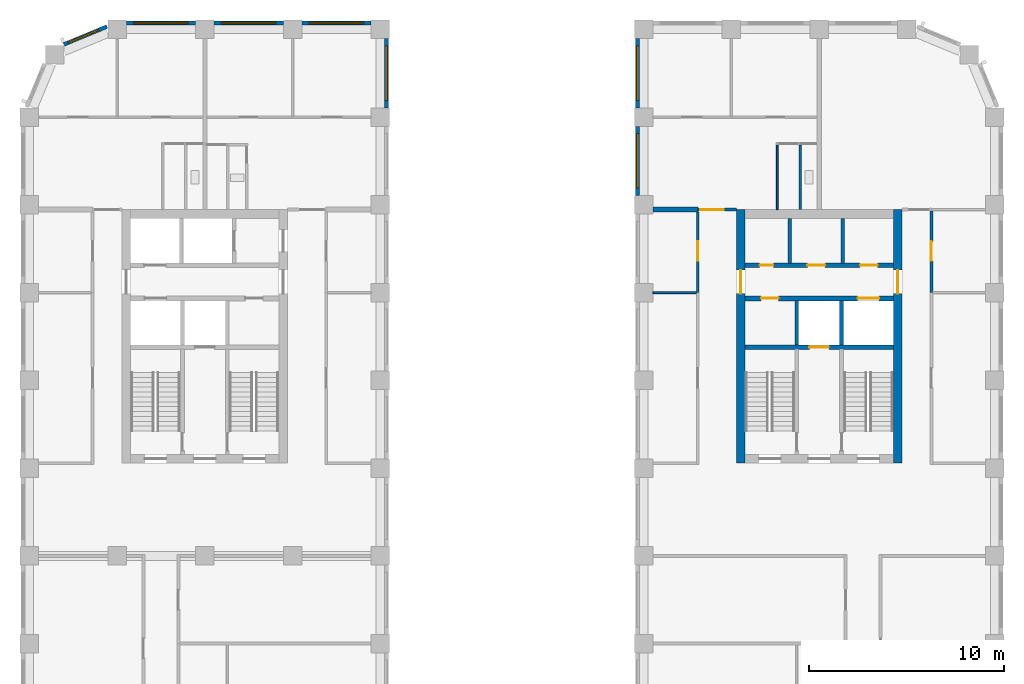
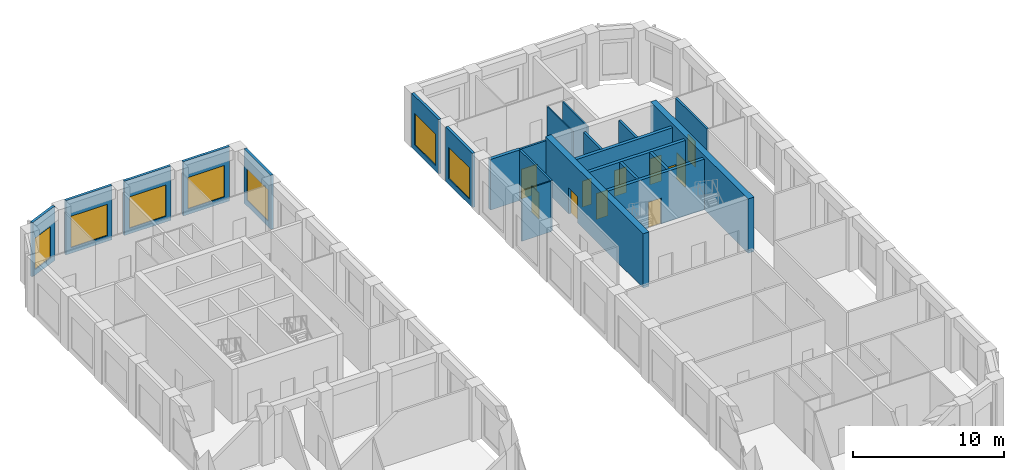
# One storey, part 8 of 13: 23 walls, 11 doors, 7 windows, 18 openings.
"""IFC4 building model written with IfcOpenShell, lengths in metres."""

from ifc_helpers import new_model, si_unit, direction, frame, frame_2d, origin, place, context, subcontext, project, spatial, rectangle, extrude, material, layer, layer_set, type_object, element, fill, save


model = new_model("IFC4")

# Units and contexts
model_context = context("Model", 3, precision=1e-05, world=origin(), true_north=direction((0.0, 1.0)))
body_context = subcontext(model_context, "Body", "Model", "MODEL_VIEW")
ifc_project = project(units=[si_unit("LENGTHUNIT", "METRE"), si_unit("AREAUNIT", "SQUARE_METRE"), si_unit("VOLUMEUNIT", "CUBIC_METRE"), si_unit("PLANEANGLEUNIT", "RADIAN"), si_unit("MASSUNIT", "GRAM", prefix="KILO")], contexts=[model_context])

# Site, building, storey
site_placement = place(None, origin())
site = spatial("IfcSite", under=ifc_project, at=site_placement, CompositionType="ELEMENT")
building_placement = place(site_placement, origin())
building = spatial("IfcBuilding", under=site, at=building_placement, Name="Girih Gate Residences", CompositionType="ELEMENT")
storey_placement = place(building_placement, frame((0.0, 0.0, 159.39990234375)))
storey = spatial("IfcBuildingStorey", under=building, at=storey_placement, Name="L44", CompositionType="ELEMENT", Elevation=159.39990234375)

# Wall
ifc_material_1 = material(Name="Gypsum board on steel studs", Category="steel")
ifc_layer_1 = layer(ifc_material_1, 0.25)
ifc_layer_set_1 = layer_set([ifc_layer_1], Name="Acoustic separating wall 250 mm")
wall_type_1 = type_object("IfcWallType", Name="Acoustic separating wall 250 mm", PredefinedType="PARTITIONING", material=ifc_layer_set_1)
wall_1_placement = place(storey_placement, frame((31.97509765625, 40.25, 0.0), z_axis=(0.0, 0.0, 1.0), x_axis=(1.0, 0.0, 0.0)))
element("IfcWall", 1, at=wall_1_placement, inside=storey, type_object=wall_type_1, Name="L44 partition", PredefinedType="PARTITIONING", context=body_context, shape_type="SweptSolid", body=[
    extrude(rectangle(XDim=2.2998046875, YDim=0.25, at=frame_2d((1.14990234375, 0.0))), origin(), (0.0, 0.0, 1.0), 4.10009765625),
])

# Wall, opening, door
ifc_layer_2 = layer(ifc_material_1, 0.14990234375)
ifc_layer_set_2 = layer_set([ifc_layer_2], Name="Compartment wall 150 mm")
wall_type_2 = type_object("IfcWallType", Name="Compartment wall 150 mm", PredefinedType="PARTITIONING", material=ifc_layer_set_2)
wall_2_placement = place(storey_placement, frame((34.27490234375, 40.25, 0.0), z_axis=(0.0, 0.0, 1.0), x_axis=(1.0, 0.0, 0.0)))
wall_2 = element("IfcWall", 2, at=wall_2_placement, inside=storey, type_object=wall_type_2, Name="L44 partition", PredefinedType="PARTITIONING", context=body_context, shape_type="SweptSolid", body=[
    extrude(rectangle(XDim=1.97509765625, YDim=0.14990234375, at=frame_2d((0.987548828125, 0.0))), origin(), (0.0, 0.0, 1.0), 4.10009765625),
])
opening_1_placement = place(wall_2_placement, frame((0.1298828125, 0.0, 0.0)))
opening_1 = element("IfcOpeningElement", 3, at=opening_1_placement, cuts=wall_2, Name="Opening A44-031", PredefinedType="OPENING", context=body_context, shape_type="SweptSolid", body=[
    extrude(rectangle(XDim=1.199951171875, YDim=2.39990234375, at=frame_2d((0.60009765625, 1.199951171875))), frame((0.0, 0.0849609375, 0.0), z_axis=(0.0, -1.0, 0.0), x_axis=(1.0, 0.0, 0.0)), (0.0, 0.0, 1.0), 0.169921875),
])
ifc_material_2 = material(Name="Timber, fire-rated core", Category="wood")
door_type_1 = type_object("IfcDoorType", Name="Villa entrance door 1200x2400 FD30S", OperationType="NOTDEFINED", PredefinedType="DOOR", material=ifc_material_2)
door_1_placement = place(opening_1_placement, origin())
door_1 = element("IfcDoor", 4, at=door_1_placement, inside=storey, type_object=door_type_1, Name="Door A44-031", OperationType="SINGLE_SWING_LEFT", OverallHeight=2.39990234375, OverallWidth=1.199951171875, PredefinedType="DOOR", context=body_context, shape_type="SweptSolid", body=[
    extrude(rectangle(XDim=1.199951171875, YDim=2.39990234375, at=frame_2d((0.60009765625, 1.199951171875))), frame((0.0, 0.02490234375, 0.0), z_axis=(0.0, -1.0, 0.0), x_axis=(1.0, 0.0, 0.0)), (0.0, 0.0, 1.0), 0.050048828125),
])
fill(opening_1, door_1)

wall_3_placement = place(storey_placement, frame((34.27490234375, 36.0, 0.0), z_axis=(0.0, 0.0, 1.0), x_axis=(0.0, 1.0, 0.0)))
wall_3 = element("IfcWall", 5, at=wall_3_placement, inside=storey, type_object=wall_type_2, Name="L44 partition", PredefinedType="PARTITIONING", context=body_context, shape_type="SweptSolid", body=[
    extrude(rectangle(XDim=4.125, YDim=0.14990234375, at=frame_2d((2.0625, 0.0))), origin(), (0.0, 0.0, 1.0), 4.10009765625),
])
opening_2_placement = place(wall_3_placement, frame((1.625, 0.0, 0.0)))
opening_2 = element("IfcOpeningElement", 6, at=opening_2_placement, cuts=wall_3, Name="Opening A44-040", PredefinedType="OPENING", context=body_context, shape_type="SweptSolid", body=[
    extrude(rectangle(XDim=1.0, YDim=2.10009765625, at=frame_2d((0.5, 1.050048828125))), frame((0.0, 0.0849609375, 0.0), z_axis=(0.0, -1.0, 0.0), x_axis=(1.0, 0.0, 0.0)), (0.0, 0.0, 1.0), 0.169921875),
])
door_type_2 = type_object("IfcDoorType", Name="Amenity room door 1000x2100 FD30S", OperationType="NOTDEFINED", PredefinedType="DOOR", material=ifc_material_2)
door_2_placement = place(opening_2_placement, origin())
door_2 = element("IfcDoor", 7, at=door_2_placement, inside=storey, type_object=door_type_2, Name="Door A44-040", OperationType="SINGLE_SWING_RIGHT", OverallHeight=2.10009765625, OverallWidth=1.0, PredefinedType="DOOR", context=body_context, shape_type="SweptSolid", body=[
    extrude(rectangle(XDim=1.0, YDim=2.10009765625, at=frame_2d((0.5, 1.050048828125))), frame((0.0, 0.02490234375, 0.0), z_axis=(0.0, -1.0, 0.0), x_axis=(1.0, 0.0, 0.0)), (0.0, 0.0, 1.0), 0.050048828125),
])
fill(opening_2, door_2)

wall_4_placement = place(storey_placement, frame((46.25, 40.175048828125, 0.0), z_axis=(0.0, 0.0, 1.0), x_axis=(0.0, -1.0, 0.0)))
wall_4 = element("IfcWall", 8, at=wall_4_placement, inside=storey, type_object=wall_type_2, Name="L44 partition", PredefinedType="PARTITIONING", context=body_context, shape_type="SweptSolid", body=[
    extrude(rectangle(XDim=4.175048828125, YDim=0.14990234375, at=frame_2d((2.08740234375, 0.0))), origin(), (0.0, 0.0, 1.0), 4.10009765625),
])
opening_3_placement = place(wall_4_placement, frame((1.550048828125, 0.0, 0.0)))
opening_3 = element("IfcOpeningElement", 9, at=opening_3_placement, cuts=wall_4, Name="Opening A44-042", PredefinedType="OPENING", context=body_context, shape_type="SweptSolid", body=[
    extrude(rectangle(XDim=1.0, YDim=2.10009765625, at=frame_2d((0.5, 1.050048828125))), frame((0.0, 0.0849609375, 0.0), z_axis=(0.0, -1.0, 0.0), x_axis=(1.0, 0.0, 0.0)), (0.0, 0.0, 1.0), 0.169921875),
])
door_3_placement = place(opening_3_placement, origin())
door_3 = element("IfcDoor", 10, at=door_3_placement, inside=storey, type_object=door_type_2, Name="Door A44-042", OperationType="SINGLE_SWING_LEFT", OverallHeight=2.10009765625, OverallWidth=1.0, PredefinedType="DOOR", context=body_context, shape_type="SweptSolid", body=[
    extrude(rectangle(XDim=1.0, YDim=2.10009765625, at=frame_2d((0.5, 1.050048828125))), frame((0.0, 0.02490234375, 0.0), z_axis=(0.0, -1.0, 0.0), x_axis=(1.0, 0.0, 0.0)), (0.0, 0.0, 1.0), 0.050048828125),
])
fill(opening_3, door_3)

ifc_material_3 = material(Name="Concrete C60/75", Category="concrete")
ifc_layer_3 = layer(ifc_material_3, 0.449951171875)
ifc_layer_set_3 = layer_set([ifc_layer_3], Name="Core wall RC 450 Concrete C60/75")
wall_type_3 = type_object("IfcWallType", Name="Core wall RC 450 Concrete C60/75", PredefinedType="SOLIDWALL", material=ifc_layer_set_3)
wall_5_placement = place(storey_placement, frame((36.47509765625, 27.25, 0.0), z_axis=(0.0, 0.0, 1.0), x_axis=(0.0, 1.0, 0.0)))
wall_5 = element("IfcWall", 11, at=wall_5_placement, inside=storey, type_object=wall_type_3, Name="Core wall E-W L44", PredefinedType="SOLIDWALL", context=body_context, shape_type="SweptSolid", body=[
    extrude(rectangle(XDim=13.0, YDim=0.449951171875, at=frame_2d((6.5, 0.0))), origin(), (0.0, 0.0, 1.0), 4.400146484375),
])
opening_4_placement = place(wall_5_placement, frame((8.699951171875, 0.0, 0.0)))
opening_4 = element("IfcOpeningElement", 12, at=opening_4_placement, cuts=wall_5, Name="Opening D-L44-E-012", PredefinedType="OPENING", context=body_context, shape_type="SweptSolid", body=[
    extrude(rectangle(XDim=1.199951171875, YDim=2.10009765625, at=frame_2d((0.60009765625, 1.050048828125))), frame((0.0, 0.23486328125, 0.0), z_axis=(0.0, -1.0, 0.0), x_axis=(1.0, 0.0, 0.0)), (0.0, 0.0, 1.0), 0.469970703125),
])
ifc_material_4 = material(Name="Painted steel, fire-resisting", Category="steel")
door_type_3 = type_object("IfcDoorType", Name="Fire door 1200x2100", OperationType="SINGLE_SWING_LEFT", PredefinedType="DOOR", material=ifc_material_4)
door_4_placement = place(opening_4_placement, origin())
door_4 = element("IfcDoor", 13, at=door_4_placement, inside=storey, type_object=door_type_3, Name="L44 E core door ll-w", OperationType="SINGLE_SWING_LEFT", OverallHeight=2.10009765625, OverallWidth=1.199951171875, PredefinedType="DOOR", context=body_context, shape_type="SweptSolid", body=[
    extrude(rectangle(XDim=1.199951171875, YDim=2.10009765625, at=frame_2d((0.60009765625, 1.050048828125))), frame((0.0, 0.02490234375, 0.0), z_axis=(0.0, -1.0, 0.0), x_axis=(1.0, 0.0, 0.0)), (0.0, 0.0, 1.0), 0.050048828125),
])
fill(opening_4, door_4)

wall_6_placement = place(storey_placement, frame((44.52490234375, 27.25, 0.0), z_axis=(0.0, 0.0, 1.0), x_axis=(0.0, 1.0, 0.0)))
wall_6 = element("IfcWall", 14, at=wall_6_placement, inside=storey, type_object=wall_type_3, Name="Core wall E-E L44", PredefinedType="SOLIDWALL", context=body_context, shape_type="SweptSolid", body=[
    extrude(rectangle(XDim=13.0, YDim=0.449951171875, at=frame_2d((6.5, 0.0))), origin(), (0.0, 0.0, 1.0), 4.400146484375),
])
opening_5_placement = place(wall_6_placement, frame((8.699951171875, 0.0, 0.0)))
opening_5 = element("IfcOpeningElement", 15, at=opening_5_placement, cuts=wall_6, Name="Opening D-L44-E-013", PredefinedType="OPENING", context=body_context, shape_type="SweptSolid", body=[
    extrude(rectangle(XDim=1.199951171875, YDim=2.10009765625, at=frame_2d((0.60009765625, 1.050048828125))), frame((0.0, 0.23486328125, 0.0), z_axis=(0.0, -1.0, 0.0), x_axis=(1.0, 0.0, 0.0)), (0.0, 0.0, 1.0), 0.469970703125),
])
door_5_placement = place(opening_5_placement, origin())
door_5 = element("IfcDoor", 16, at=door_5_placement, inside=storey, type_object=door_type_3, Name="L44 E core door ll-e", OperationType="SINGLE_SWING_LEFT", OverallHeight=2.10009765625, OverallWidth=1.199951171875, PredefinedType="DOOR", context=body_context, shape_type="SweptSolid", body=[
    extrude(rectangle(XDim=1.199951171875, YDim=2.10009765625, at=frame_2d((0.60009765625, 1.050048828125))), frame((0.0, 0.02490234375, 0.0), z_axis=(0.0, -1.0, 0.0), x_axis=(1.0, 0.0, 0.0)), (0.0, 0.0, 1.0), 0.050048828125),
])
fill(opening_5, door_5)

ifc_material_5 = material(Name="Concrete C40/50", Category="concrete")
ifc_layer_4 = layer(ifc_material_5, 0.25)
ifc_layer_set_4 = layer_set([ifc_layer_4], Name="Lift shaft wall 250")
wall_type_4 = type_object("IfcWallType", Name="Lift shaft wall 250", PredefinedType="SOLIDWALL", material=ifc_layer_set_4)
wall_7_placement = place(storey_placement, frame((36.699951171875, 33.199951171875, 0.0), z_axis=(0.0, 0.0, 1.0), x_axis=(1.0, 0.0, 0.0)))
wall_7 = element("IfcWall", 17, at=wall_7_placement, inside=storey, type_object=wall_type_4, Name="L44 E core wall H1", PredefinedType="SOLIDWALL", context=body_context, shape_type="SweptSolid", body=[
    extrude(rectangle(XDim=7.60009765625, YDim=0.25, at=frame_2d((3.800048828125, 0.0))), origin(), (0.0, 0.0, 1.0), 4.10009765625),
])
opening_6_placement = place(wall_7_placement, frame((3.300048828125, 0.0, 0.0)))
opening_6 = element("IfcOpeningElement", 18, at=opening_6_placement, cuts=wall_7, Name="Opening D-L44-E-004", PredefinedType="OPENING", context=body_context, shape_type="SweptSolid", body=[
    extrude(rectangle(XDim=1.0, YDim=2.10009765625, at=frame_2d((0.5, 1.050048828125))), frame((0.0, 0.135009765625, 0.0), z_axis=(0.0, -1.0, 0.0), x_axis=(1.0, 0.0, 0.0)), (0.0, 0.0, 1.0), 0.27001953125),
])
ifc_material_6 = material(Name="Stainless steel, fire-resisting", Category="steel")
door_type_4 = type_object("IfcDoorType", Name="Firefighting lift landing door 1000x2100", OperationType="SLIDING_TO_LEFT", PredefinedType="DOOR", material=ifc_material_6)
door_6_placement = place(opening_6_placement, origin())
door_6 = element("IfcDoor", 19, at=door_6_placement, inside=storey, type_object=door_type_4, Name="L44 lift FF-E landing door", OperationType="SLIDING_TO_LEFT", OverallHeight=2.10009765625, OverallWidth=1.0, PredefinedType="DOOR", context=body_context, shape_type="SweptSolid", body=[
    extrude(rectangle(XDim=1.0, YDim=2.10009765625, at=frame_2d((0.5, 1.050048828125))), frame((0.0, 0.02490234375, 0.0), z_axis=(0.0, -1.0, 0.0), x_axis=(1.0, 0.0, 0.0)), (0.0, 0.0, 1.0), 0.050048828125),
])
fill(opening_6, door_6)

# Wall, openings, doors
wall_8_placement = place(storey_placement, frame((36.699951171875, 35.699951171875, 0.0), z_axis=(0.0, 0.0, 1.0), x_axis=(1.0, 0.0, 0.0)))
wall_8 = element("IfcWall", 20, at=wall_8_placement, inside=storey, type_object=wall_type_4, Name="L44 E core wall H2", PredefinedType="SOLIDWALL", context=body_context, shape_type="SweptSolid", body=[
    extrude(rectangle(XDim=7.60009765625, YDim=0.25, at=frame_2d((3.800048828125, 0.0))), origin(), (0.0, 0.0, 1.0), 4.10009765625),
])
opening_7_placement = place(wall_8_placement, frame((5.77490234375, 0.0, 0.0)))
opening_7 = element("IfcOpeningElement", 21, at=opening_7_placement, cuts=wall_8, Name="Opening D-L44-E-003", PredefinedType="OPENING", context=body_context, shape_type="SweptSolid", body=[
    extrude(rectangle(XDim=1.10009765625, YDim=2.39990234375, at=frame_2d((0.550048828125, 1.199951171875))), frame((0.0, 0.135009765625, 0.0), z_axis=(0.0, -1.0, 0.0), x_axis=(1.0, 0.0, 0.0)), (0.0, 0.0, 1.0), 0.27001953125),
])
opening_8_placement = place(wall_8_placement, frame((0.824951171875, 0.0, 0.0)))
opening_8 = element("IfcOpeningElement", 22, at=opening_8_placement, cuts=wall_8, Name="Opening D-L44-E-006", PredefinedType="OPENING", context=body_context, shape_type="SweptSolid", body=[
    extrude(rectangle(XDim=0.89990234375, YDim=2.10009765625, at=frame_2d((0.449951171875, 1.050048828125))), frame((0.0, 0.135009765625, 0.0), z_axis=(0.0, -1.0, 0.0), x_axis=(1.0, 0.0, 0.0)), (0.0, 0.0, 1.0), 0.27001953125),
])
door_type_5 = type_object("IfcDoorType", Name="Fire door 900x2100", OperationType="SINGLE_SWING_LEFT", PredefinedType="DOOR", material=ifc_material_4)
door_7_placement = place(opening_8_placement, origin())
door_7 = element("IfcDoor", 23, at=door_7_placement, inside=storey, type_object=door_type_5, Name="L44 E pantry door", OperationType="SINGLE_SWING_LEFT", OverallHeight=2.10009765625, OverallWidth=0.89990234375, PredefinedType="DOOR", context=body_context, shape_type="SweptSolid", body=[
    extrude(rectangle(XDim=0.89990234375, YDim=2.10009765625, at=frame_2d((0.449951171875, 1.050048828125))), frame((0.0, 0.02490234375, 0.0), z_axis=(0.0, -1.0, 0.0), x_axis=(1.0, 0.0, 0.0)), (0.0, 0.0, 1.0), 0.050048828125),
])
fill(opening_8, door_7)
ifc_material_7 = material(Name="Stainless steel", Category="steel")
door_type_6 = type_object("IfcDoorType", Name="Lift landing door 1100x2400", OperationType="SLIDING_TO_LEFT", PredefinedType="DOOR", material=ifc_material_7)
door_8_placement = place(opening_7_placement, origin())
door_8 = element("IfcDoor", 24, at=door_8_placement, inside=storey, type_object=door_type_6, Name="L44 lift HR-E1 landing door", OperationType="SLIDING_TO_LEFT", OverallHeight=2.39990234375, OverallWidth=1.10009765625, PredefinedType="DOOR", context=body_context, shape_type="SweptSolid", body=[
    extrude(rectangle(XDim=1.10009765625, YDim=2.39990234375, at=frame_2d((0.550048828125, 1.199951171875))), frame((0.0, 0.02490234375, 0.0), z_axis=(0.0, -1.0, 0.0), x_axis=(1.0, 0.0, 0.0)), (0.0, 0.0, 1.0), 0.050048828125),
])
fill(opening_7, door_8)

wall_9_placement = place(storey_placement, frame((36.699951171875, 37.39990234375, 0.0), z_axis=(0.0, 0.0, 1.0), x_axis=(1.0, 0.0, 0.0)))
wall_9 = element("IfcWall", 25, at=wall_9_placement, inside=storey, type_object=wall_type_4, Name="L44 E core wall H3", PredefinedType="SOLIDWALL", context=body_context, shape_type="SweptSolid", body=[
    extrude(rectangle(XDim=7.60009765625, YDim=0.25, at=frame_2d((3.800048828125, 0.0))), origin(), (0.0, 0.0, 1.0), 4.10009765625),
])
opening_9_placement = place(wall_9_placement, frame((0.75, 0.0, 0.0)))
opening_9 = element("IfcOpeningElement", 26, at=opening_9_placement, cuts=wall_9, Name="Opening D-L44-E-005", PredefinedType="OPENING", context=body_context, shape_type="SweptSolid", body=[
    extrude(rectangle(XDim=0.699951171875, YDim=2.10009765625, at=frame_2d((0.35009765625, 1.050048828125))), frame((0.0, 0.135009765625, 0.0), z_axis=(0.0, -1.0, 0.0), x_axis=(1.0, 0.0, 0.0)), (0.0, 0.0, 1.0), 0.27001953125),
])
opening_10_placement = place(wall_9_placement, frame((5.89990234375, 0.0, 0.0)))
opening_10 = element("IfcOpeningElement", 27, at=opening_10_placement, cuts=wall_9, Name="Opening D-L44-E-007", PredefinedType="OPENING", context=body_context, shape_type="SweptSolid", body=[
    extrude(rectangle(XDim=0.89990234375, YDim=2.10009765625, at=frame_2d((0.449951171875, 1.050048828125))), frame((0.0, 0.135009765625, 0.0), z_axis=(0.0, -1.0, 0.0), x_axis=(1.0, 0.0, 0.0)), (0.0, 0.0, 1.0), 0.27001953125),
])
opening_11_placement = place(wall_9_placement, frame((3.199951171875, 0.0, 0.0)))
opening_11 = element("IfcOpeningElement", 28, at=opening_11_placement, cuts=wall_9, Name="Opening D-L44-E-008", PredefinedType="OPENING", context=body_context, shape_type="SweptSolid", body=[
    extrude(rectangle(XDim=0.89990234375, YDim=2.10009765625, at=frame_2d((0.449951171875, 1.050048828125))), frame((0.0, 0.135009765625, 0.0), z_axis=(0.0, -1.0, 0.0), x_axis=(1.0, 0.0, 0.0)), (0.0, 0.0, 1.0), 0.27001953125),
])
door_9_placement = place(opening_10_placement, origin())
door_9 = element("IfcDoor", 29, at=door_9_placement, inside=storey, type_object=door_type_5, Name="L44 E comms room door", OperationType="SINGLE_SWING_LEFT", OverallHeight=2.10009765625, OverallWidth=0.89990234375, PredefinedType="DOOR", context=body_context, shape_type="SweptSolid", body=[
    extrude(rectangle(XDim=0.89990234375, YDim=2.10009765625, at=frame_2d((0.449951171875, 1.050048828125))), frame((0.0, 0.02490234375, 0.0), z_axis=(0.0, -1.0, 0.0), x_axis=(1.0, 0.0, 0.0)), (0.0, 0.0, 1.0), 0.050048828125),
])
fill(opening_10, door_9)
door_10_placement = place(opening_11_placement, origin())
door_10 = element("IfcDoor", 30, at=door_10_placement, inside=storey, type_object=door_type_5, Name="L44 E cleaners store door", OperationType="SINGLE_SWING_LEFT", OverallHeight=2.10009765625, OverallWidth=0.89990234375, PredefinedType="DOOR", context=body_context, shape_type="SweptSolid", body=[
    extrude(rectangle(XDim=0.89990234375, YDim=2.10009765625, at=frame_2d((0.449951171875, 1.050048828125))), frame((0.0, 0.02490234375, 0.0), z_axis=(0.0, -1.0, 0.0), x_axis=(1.0, 0.0, 0.0)), (0.0, 0.0, 1.0), 0.050048828125),
])
fill(opening_11, door_10)
door_type_7 = type_object("IfcDoorType", Name="Riser access door 700x2100", OperationType="SINGLE_SWING_LEFT", PredefinedType="DOOR", material=ifc_material_4)
door_11_placement = place(opening_9_placement, origin())
door_11 = element("IfcDoor", 31, at=door_11_placement, inside=storey, type_object=door_type_7, Name="L44 E riser room door", OperationType="SINGLE_SWING_LEFT", OverallHeight=2.10009765625, OverallWidth=0.699951171875, PredefinedType="DOOR", context=body_context, shape_type="SweptSolid", body=[
    extrude(rectangle(XDim=0.699951171875, YDim=2.10009765625, at=frame_2d((0.35009765625, 1.050048828125))), frame((0.0, 0.02490234375, 0.0), z_axis=(0.0, -1.0, 0.0), x_axis=(1.0, 0.0, 0.0)), (0.0, 0.0, 1.0), 0.050048828125),
])
fill(opening_9, door_11)

# Walls
ifc_layer_5 = layer(ifc_material_1, 0.10009765625)
ifc_layer_set_5 = layer_set([ifc_layer_5], Name="Partition 100 mm")
wall_type_5 = type_object("IfcWallType", Name="Partition 100 mm", PredefinedType="PARTITIONING", material=ifc_layer_set_5)
wall_10_placement = place(storey_placement, frame((38.35009765625, 40.25, 0.0), z_axis=(0.0, 0.0, 1.0), x_axis=(0.0, 1.0, 0.0)))
element("IfcWall", 32, at=wall_10_placement, inside=storey, type_object=wall_type_5, Name="L44 partition", PredefinedType="PARTITIONING", context=body_context, shape_type="SweptSolid", body=[
    extrude(rectangle(XDim=3.320068359375, YDim=0.10009765625, at=frame_2d((1.66015625, 0.0))), origin(), (0.0, 0.0, 1.0), 4.10009765625),
])
wall_11_placement = place(storey_placement, frame((31.97509765625, 36.0, 0.0), z_axis=(0.0, 0.0, 1.0), x_axis=(1.0, 0.0, 0.0)))
element("IfcWall", 33, at=wall_11_placement, inside=storey, type_object=wall_type_5, Name="L44 partition", PredefinedType="PARTITIONING", context=body_context, shape_type="SweptSolid", body=[
    extrude(rectangle(XDim=2.224853515625, YDim=0.10009765625, at=frame_2d((1.1123046875, 0.0))), origin(), (0.0, 0.0, 1.0), 4.10009765625),
])

# Wall, opening, window
ifc_material_8 = material(Name="Precast concrete C50/60", Category="concrete")
ifc_layer_6 = layer(ifc_material_8, 0.06005859375, Name="Outer leaf")
ifc_material_9 = material(Name="Rigid PIR insulation")
ifc_layer_7 = layer(ifc_material_9, 0.090087890625, Name="Insulation")
ifc_material_10 = material(Name="Precast concrete C40/50", Category="concrete")
ifc_layer_8 = layer(ifc_material_10, 0.050048828125, Name="Inner leaf")
ifc_layer_set_6 = layer_set([ifc_layer_6, ifc_layer_7, ifc_layer_8], Name="Precast concrete C50/60 external wall 200")
wall_type_6 = type_object("IfcWallType", Name="Precast concrete C50/60 external wall 200", PredefinedType="SOLIDWALL", material=ifc_layer_set_6)
wall_12_placement = place(storey_placement, frame((13.97509765625, 49.824951171875, 0.0), z_axis=(0.0, 0.0, 1.0), x_axis=(1.0, 0.0, 0.0)))
wall_12 = element("IfcWall", 34, at=wall_12_placement, inside=storey, type_object=wall_type_6, Name="External wall N0180_0495.0", PredefinedType="SOLIDWALL", context=body_context, shape_type="SweptSolid", body=[
    extrude(rectangle(XDim=3.5498046875, YDim=0.199951171875, at=frame_2d((1.77490234375, 0.0))), origin(), (0.0, 0.0, 1.0), 4.400146484375),
])
opening_12_placement = place(wall_12_placement, frame((0.375, 0.0, 0.449951171875)))
opening_12 = element("IfcOpeningElement", 35, at=opening_12_placement, cuts=wall_12, Name="Opening W-6A", PredefinedType="OPENING", context=body_context, shape_type="SweptSolid", body=[
    extrude(rectangle(XDim=2.800048828125, YDim=2.550048828125, at=frame_2d((1.39990234375, 1.27490234375))), frame((0.0, 0.10986328125, 0.0), z_axis=(0.0, -1.0, 0.0), x_axis=(1.0, 0.0, 0.0)), (0.0, 0.0, 1.0), 0.219970703125),
])
ifc_material_11 = material(Name="Double glazing in aluminium frame", Category="aluminium")
window_type_1 = type_object("IfcWindowType", Name="Window W-6A 2800x2550", PartitioningType="SINGLE_PANEL", PredefinedType="WINDOW", material=ifc_material_11)
window_1_placement = place(opening_12_placement, origin())
window_1 = element("IfcWindow", 36, at=window_1_placement, inside=storey, type_object=window_type_1, Name="Window W-6A N0180_0495.0", OverallHeight=2.550048828125, OverallWidth=2.800048828125, PartitioningType="SINGLE_PANEL", PredefinedType="WINDOW", context=body_context, shape_type="SweptSolid", body=[
    extrude(rectangle(XDim=2.800048828125, YDim=2.550048828125, at=frame_2d((1.39990234375, 1.27490234375))), frame((0.0, 0.030029296875, 0.0), z_axis=(0.0, -1.0, 0.0), x_axis=(1.0, 0.0, 0.0)), (0.0, 0.0, 1.0), 0.06005859375),
])
fill(opening_12, window_1)

wall_13_placement = place(storey_placement, frame((9.47509765625, 49.824951171875, 0.0), z_axis=(0.0, 0.0, 1.0), x_axis=(1.0, 0.0, 0.0)))
wall_13 = element("IfcWall", 37, at=wall_13_placement, inside=storey, type_object=wall_type_6, Name="External wall N0180_0495.1", PredefinedType="SOLIDWALL", context=body_context, shape_type="SweptSolid", body=[
    extrude(rectangle(XDim=3.5498046875, YDim=0.199951171875, at=frame_2d((1.77490234375, 0.0))), origin(), (0.0, 0.0, 1.0), 4.400146484375),
])
opening_13_placement = place(wall_13_placement, frame((0.375, 0.0, 0.449951171875)))
opening_13 = element("IfcOpeningElement", 38, at=opening_13_placement, cuts=wall_13, Name="Opening W-6A", PredefinedType="OPENING", context=body_context, shape_type="SweptSolid", body=[
    extrude(rectangle(XDim=2.800048828125, YDim=2.550048828125, at=frame_2d((1.39990234375, 1.27490234375))), frame((0.0, 0.10986328125, 0.0), z_axis=(0.0, -1.0, 0.0), x_axis=(1.0, 0.0, 0.0)), (0.0, 0.0, 1.0), 0.219970703125),
])
window_2_placement = place(opening_13_placement, origin())
window_2 = element("IfcWindow", 39, at=window_2_placement, inside=storey, type_object=window_type_1, Name="Window W-6A N0180_0495.1", OverallHeight=2.550048828125, OverallWidth=2.800048828125, PartitioningType="SINGLE_PANEL", PredefinedType="WINDOW", context=body_context, shape_type="SweptSolid", body=[
    extrude(rectangle(XDim=2.800048828125, YDim=2.550048828125, at=frame_2d((1.39990234375, 1.27490234375))), frame((0.0, 0.030029296875, 0.0), z_axis=(0.0, -1.0, 0.0), x_axis=(1.0, 0.0, 0.0)), (0.0, 0.0, 1.0), 0.06005859375),
])
fill(opening_13, window_2)

wall_14_placement = place(storey_placement, frame((4.97509765625, 49.824951171875, 0.0), z_axis=(0.0, 0.0, 1.0), x_axis=(1.0, 0.0, 0.0)))
wall_14 = element("IfcWall", 40, at=wall_14_placement, inside=storey, type_object=wall_type_6, Name="External wall N0180_0495.2", PredefinedType="SOLIDWALL", context=body_context, shape_type="SweptSolid", body=[
    extrude(rectangle(XDim=3.5498046875, YDim=0.199951171875, at=frame_2d((1.77490234375, 0.0))), origin(), (0.0, 0.0, 1.0), 4.400146484375),
])
opening_14_placement = place(wall_14_placement, frame((0.375, 0.0, 0.449951171875)))
opening_14 = element("IfcOpeningElement", 41, at=opening_14_placement, cuts=wall_14, Name="Opening W-6A", PredefinedType="OPENING", context=body_context, shape_type="SweptSolid", body=[
    extrude(rectangle(XDim=2.800048828125, YDim=2.550048828125, at=frame_2d((1.39990234375, 1.27490234375))), frame((0.0, 0.10986328125, 0.0), z_axis=(0.0, -1.0, 0.0), x_axis=(1.0, 0.0, 0.0)), (0.0, 0.0, 1.0), 0.219970703125),
])
window_3_placement = place(opening_14_placement, origin())
window_3 = element("IfcWindow", 42, at=window_3_placement, inside=storey, type_object=window_type_1, Name="Window W-6A N0180_0495.2", OverallHeight=2.550048828125, OverallWidth=2.800048828125, PartitioningType="SINGLE_PANEL", PredefinedType="WINDOW", context=body_context, shape_type="SweptSolid", body=[
    extrude(rectangle(XDim=2.800048828125, YDim=2.550048828125, at=frame_2d((1.39990234375, 1.27490234375))), frame((0.0, 0.030029296875, 0.0), z_axis=(0.0, -1.0, 0.0), x_axis=(1.0, 0.0, 0.0)), (0.0, 0.0, 1.0), 0.06005859375),
])
fill(opening_14, window_3)

wall_15_placement = place(storey_placement, frame((1.76708984375, 48.7197265625, 0.0), z_axis=(0.0, 0.0, 1.0), x_axis=(0.923880599843, 0.382680855588, 0.0)))
wall_15 = element("IfcWall", 43, at=wall_15_placement, inside=storey, type_object=wall_type_6, Name="External wall NW0045_0495.0", PredefinedType="SOLIDWALL", context=body_context, shape_type="SweptSolid", body=[
    extrude(rectangle(XDim=2.402587890625, YDim=0.199951171875, at=frame_2d((1.201171875, 0.0))), origin(), (0.0, 0.0, 1.0), 4.400146484375),
])
opening_15_placement = place(wall_15_placement, frame((0.25146484375, 0.0, 0.449951171875)))
opening_15 = element("IfcOpeningElement", 44, at=opening_15_placement, cuts=wall_15, Name="Opening W-2F", PredefinedType="OPENING", context=body_context, shape_type="SweptSolid", body=[
    extrude(rectangle(XDim=1.699951171875, YDim=2.550048828125, at=frame_2d((0.85009765625, 1.27490234375))), frame((0.0, 0.10986328125, 0.0), z_axis=(0.0, -1.0, 0.0), x_axis=(1.0, 0.0, 0.0)), (0.0, 0.0, 1.0), 0.219970703125),
])
window_type_2 = type_object("IfcWindowType", Name="Window W-2F 1700x2550", PartitioningType="SINGLE_PANEL", PredefinedType="WINDOW", material=ifc_material_11)
window_4_placement = place(opening_15_placement, origin())
window_4 = element("IfcWindow", 45, at=window_4_placement, inside=storey, type_object=window_type_2, Name="Window W-2F NW0045_0495.0", OverallHeight=2.550048828125, OverallWidth=1.699951171875, PartitioningType="SINGLE_PANEL", PredefinedType="WINDOW", context=body_context, shape_type="SweptSolid", body=[
    extrude(rectangle(XDim=1.699951171875, YDim=2.550048828125, at=frame_2d((0.85009765625, 1.27490234375))), frame((0.0, 0.030029296875, 0.0), z_axis=(0.0, -1.0, 0.0), x_axis=(1.0, 0.0, 0.0)), (0.0, 0.0, 1.0), 0.06005859375),
])
fill(opening_15, window_4)

wall_16_placement = place(storey_placement, frame((18.324951171875, 49.02490234375, 0.0), z_axis=(0.0, 0.0, 1.0), x_axis=(0.0, -1.0, 0.0)))
wall_16 = element("IfcWall", 46, at=wall_16_placement, inside=storey, type_object=wall_type_6, Name="External wall E0180_0000.10", PredefinedType="SOLIDWALL", context=body_context, shape_type="SweptSolid", body=[
    extrude(rectangle(XDim=3.5498046875, YDim=0.199951171875, at=frame_2d((1.77490234375, 0.0))), origin(), (0.0, 0.0, 1.0), 4.400146484375),
])
opening_16_placement = place(wall_16_placement, frame((0.375, 0.0, 0.449951171875)))
opening_16 = element("IfcOpeningElement", 47, at=opening_16_placement, cuts=wall_16, Name="Opening W-6A", PredefinedType="OPENING", context=body_context, shape_type="SweptSolid", body=[
    extrude(rectangle(XDim=2.800048828125, YDim=2.550048828125, at=frame_2d((1.39990234375, 1.27490234375))), frame((0.0, 0.10986328125, 0.0), z_axis=(0.0, -1.0, 0.0), x_axis=(1.0, 0.0, 0.0)), (0.0, 0.0, 1.0), 0.219970703125),
])
window_5_placement = place(opening_16_placement, origin())
window_5 = element("IfcWindow", 48, at=window_5_placement, inside=storey, type_object=window_type_1, Name="Window W-6A E0180_0000.10", OverallHeight=2.550048828125, OverallWidth=2.800048828125, PartitioningType="SINGLE_PANEL", PredefinedType="WINDOW", context=body_context, shape_type="SweptSolid", body=[
    extrude(rectangle(XDim=2.800048828125, YDim=2.550048828125, at=frame_2d((1.39990234375, 1.27490234375))), frame((0.0, 0.030029296875, 0.0), z_axis=(0.0, -1.0, 0.0), x_axis=(1.0, 0.0, 0.0)), (0.0, 0.0, 1.0), 0.06005859375),
])
fill(opening_16, window_5)

wall_17_placement = place(storey_placement, frame((31.175048828125, 45.47509765625, 0.0), z_axis=(0.0, 0.0, 1.0), x_axis=(0.0, 1.0, 0.0)))
wall_17 = element("IfcWall", 49, at=wall_17_placement, inside=storey, type_object=wall_type_6, Name="External wall W0315_0495.0", PredefinedType="SOLIDWALL", context=body_context, shape_type="SweptSolid", body=[
    extrude(rectangle(XDim=3.5498046875, YDim=0.199951171875, at=frame_2d((1.77490234375, 0.0))), origin(), (0.0, 0.0, 1.0), 4.400146484375),
])
opening_17_placement = place(wall_17_placement, frame((0.375, 0.0, 0.449951171875)))
opening_17 = element("IfcOpeningElement", 50, at=opening_17_placement, cuts=wall_17, Name="Opening W-6A", PredefinedType="OPENING", context=body_context, shape_type="SweptSolid", body=[
    extrude(rectangle(XDim=2.800048828125, YDim=2.550048828125, at=frame_2d((1.39990234375, 1.27490234375))), frame((0.0, 0.10986328125, 0.0), z_axis=(0.0, -1.0, 0.0), x_axis=(1.0, 0.0, 0.0)), (0.0, 0.0, 1.0), 0.219970703125),
])
window_6_placement = place(opening_17_placement, origin())
window_6 = element("IfcWindow", 51, at=window_6_placement, inside=storey, type_object=window_type_1, Name="Window W-6A W0315_0495.0", OverallHeight=2.550048828125, OverallWidth=2.800048828125, PartitioningType="SINGLE_PANEL", PredefinedType="WINDOW", context=body_context, shape_type="SweptSolid", body=[
    extrude(rectangle(XDim=2.800048828125, YDim=2.550048828125, at=frame_2d((1.39990234375, 1.27490234375))), frame((0.0, 0.030029296875, 0.0), z_axis=(0.0, -1.0, 0.0), x_axis=(1.0, 0.0, 0.0)), (0.0, 0.0, 1.0), 0.06005859375),
])
fill(opening_17, window_6)

wall_18_placement = place(storey_placement, frame((31.175048828125, 40.97509765625, 0.0), z_axis=(0.0, 0.0, 1.0), x_axis=(0.0, 1.0, 0.0)))
wall_18 = element("IfcWall", 52, at=wall_18_placement, inside=storey, type_object=wall_type_6, Name="External wall W0315_0495.1", PredefinedType="SOLIDWALL", context=body_context, shape_type="SweptSolid", body=[
    extrude(rectangle(XDim=3.5498046875, YDim=0.199951171875, at=frame_2d((1.77490234375, 0.0))), origin(), (0.0, 0.0, 1.0), 4.400146484375),
])
opening_18_placement = place(wall_18_placement, frame((0.375, 0.0, 0.449951171875)))
opening_18 = element("IfcOpeningElement", 53, at=opening_18_placement, cuts=wall_18, Name="Opening W-6A", PredefinedType="OPENING", context=body_context, shape_type="SweptSolid", body=[
    extrude(rectangle(XDim=2.800048828125, YDim=2.550048828125, at=frame_2d((1.39990234375, 1.27490234375))), frame((0.0, 0.10986328125, 0.0), z_axis=(0.0, -1.0, 0.0), x_axis=(1.0, 0.0, 0.0)), (0.0, 0.0, 1.0), 0.219970703125),
])
window_7_placement = place(opening_18_placement, origin())
window_7 = element("IfcWindow", 54, at=window_7_placement, inside=storey, type_object=window_type_1, Name="Window W-6A W0315_0495.1", OverallHeight=2.550048828125, OverallWidth=2.800048828125, PartitioningType="SINGLE_PANEL", PredefinedType="WINDOW", context=body_context, shape_type="SweptSolid", body=[
    extrude(rectangle(XDim=2.800048828125, YDim=2.550048828125, at=frame_2d((1.39990234375, 1.27490234375))), frame((0.0, 0.030029296875, 0.0), z_axis=(0.0, -1.0, 0.0), x_axis=(1.0, 0.0, 0.0)), (0.0, 0.0, 1.0), 0.06005859375),
])
fill(opening_18, window_7)

# Walls
ifc_layer_9 = layer(ifc_material_5, 0.175048828125)
ifc_layer_set_7 = layer_set([ifc_layer_9], Name="Riser shaft wall 175")
wall_type_7 = type_object("IfcWallType", Name="Riser shaft wall 175", PredefinedType="SOLIDWALL", material=ifc_layer_set_7)
for number, where, z_axis, x_axis, name in (
    (55, (41.699951171875, 37.5, 0.0), (0.0, 0.0, 1.0), (0.0, 1.0, 0.0), "L44 E core wall V1c"),
    (56, (39.0, 37.5, 0.0), (0.0, 0.0, 1.0), (0.0, 1.0, 0.0), "L44 E core wall V2c"),
):
    element("IfcWall", number, at=place(storey_placement, frame(where, z_axis=z_axis, x_axis=x_axis)), inside=storey, type_object=wall_type_7, Name=name, PredefinedType="SOLIDWALL", context=body_context, shape_type="SweptSolid", body=[
        extrude(rectangle(XDim=2.300048828125, YDim=0.175048828125, at=frame_2d((1.14990234375, 0.0))), origin(), (0.0, 0.0, 1.0), 4.10009765625),
    ])
ifc_layer_10 = layer(ifc_material_5, 0.199951171875)
ifc_layer_set_8 = layer_set([ifc_layer_10], Name="Shaft wall 200")
wall_type_8 = type_object("IfcWallType", Name="Shaft wall 200", PredefinedType="SOLIDWALL", material=ifc_layer_set_8)
for number, where, z_axis, x_axis, name in (
    (57, (41.64990234375, 33.300048828125, 0.0), (0.0, 0.0, 1.0), (0.0, 1.0, 0.0), "L44 E core wall V1b"),
    (58, (39.35009765625, 33.300048828125, 0.0), (0.0, 0.0, 1.0), (0.0, 1.0, 0.0), "L44 E core wall V2b"),
):
    element("IfcWall", number, at=place(storey_placement, frame(where, z_axis=z_axis, x_axis=x_axis)), inside=storey, type_object=wall_type_8, Name=name, PredefinedType="SOLIDWALL", context=body_context, shape_type="SweptSolid", body=[
        extrude(rectangle(XDim=2.300048828125, YDim=0.199951171875, at=frame_2d((1.14990234375, 0.0))), origin(), (0.0, 0.0, 1.0), 4.10009765625),
    ])
ifc_layer_11 = layer(ifc_material_1, 0.125)
ifc_layer_set_9 = layer_set([ifc_layer_11], Name="Wet room wall 125 mm")
wall_type_9 = type_object("IfcWallType", Name="Wet room wall 125 mm", PredefinedType="PARTITIONING", material=ifc_layer_set_9)
wall_19_placement = place(storey_placement, frame((39.52294921875, 40.25, 0.0), z_axis=(0.0, 0.0, 1.0), x_axis=(0.0, 1.0, 0.0)))
element("IfcWall", 59, at=wall_19_placement, inside=storey, type_object=wall_type_9, Name="L44 partition", PredefinedType="PARTITIONING", context=body_context, shape_type="SweptSolid", body=[
    extrude(rectangle(XDim=3.3076171875, YDim=0.125, at=frame_2d((1.65380859375, 0.0))), origin(), (0.0, 0.0, 1.0), 4.10009765625),
])

save(model, "model.ifc")
